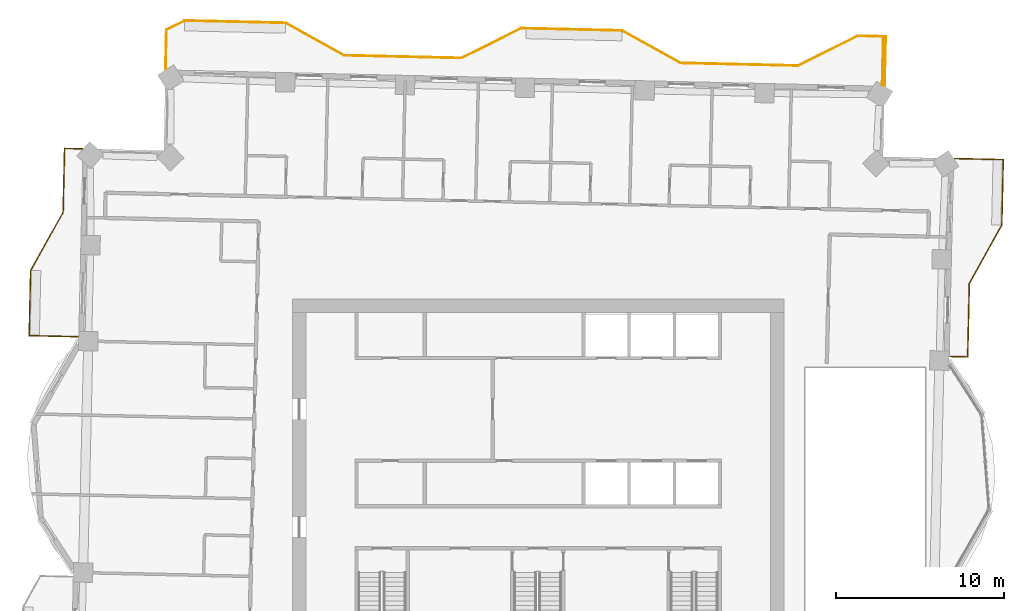
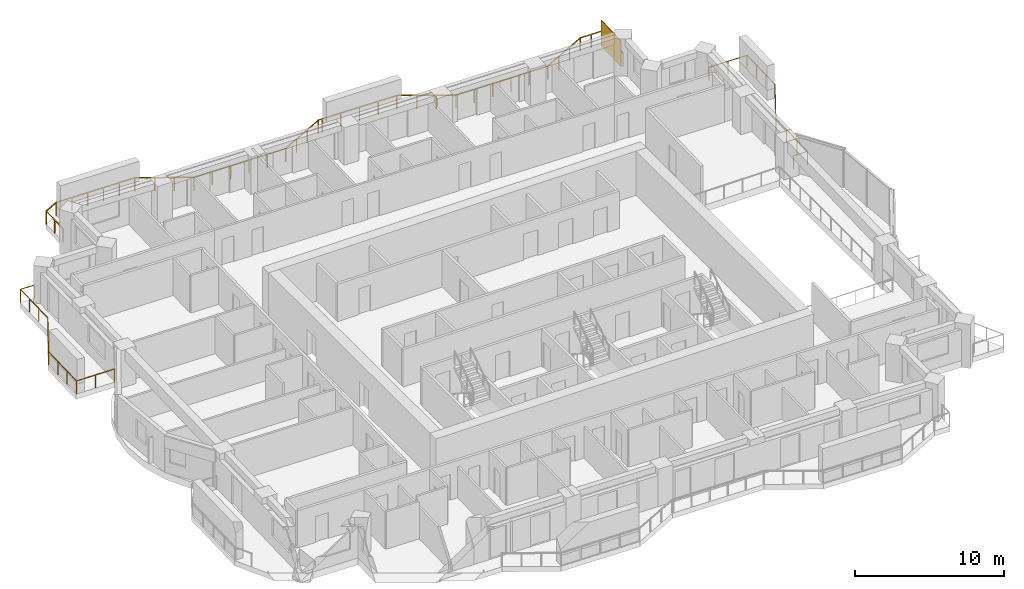
# One storey, part 16 of 16: 3 railings, 1 shading device.
"""IFC4 building model written with IfcOpenShell, lengths in metres."""

from ifc_helpers import new_model, si_unit, direction, frame, origin, origin_2d, place, context, subcontext, project, spatial, rectangle, extrude, material, type_object, element, save


model = new_model("IFC4")

# Units and contexts
model_context = context("Model", 3, precision=1e-05, world=origin(), true_north=direction((0.0, 1.0)))
body_context = subcontext(model_context, "Body", "Model", "MODEL_VIEW")
ifc_project = project(units=[si_unit("LENGTHUNIT", "METRE"), si_unit("AREAUNIT", "SQUARE_METRE"), si_unit("VOLUMEUNIT", "CUBIC_METRE"), si_unit("PLANEANGLEUNIT", "RADIAN"), si_unit("MASSUNIT", "GRAM", prefix="KILO")], contexts=[model_context])

# Site, building, storey
site_placement = place(None, origin())
site = spatial("IfcSite", under=ifc_project, at=site_placement, CompositionType="ELEMENT")
building_placement = place(site_placement, origin())
building = spatial("IfcBuilding", under=site, at=building_placement, Name="Mangrove Gate Tower", CompositionType="ELEMENT")
storey_placement = place(building_placement, frame((0.0, 0.0, 197.89990234375)))
storey = spatial("IfcBuildingStorey", under=building, at=storey_placement, Name="L50", CompositionType="ELEMENT", Elevation=197.89990234375)

# Railings
ifc_material_1 = material(Name="Stainless steel grade 316 with laminated glass infill", Category="steel")
railing_type = type_object("IfcRailingType", Name="Balcony guard 1100", PredefinedType="GUARDRAIL", material=ifc_material_1)
railing_1_placement = place(storey_placement, frame((24.467041015625, 8.18603515625, 0.0)))
element("IfcRailing", 1, at=railing_1_placement, inside=storey, type_object=railing_type, Name="GUARD L50 E2", PredefinedType="GUARDRAIL", context=body_context, shape_type="SweptSolid", body=[
    extrude(rectangle(XDim=0.048095703125, YDim=0.048095703125, at=origin_2d()), frame((0.0, 0.0, 1.076171875), z_axis=(0.999745389313, -0.022564497502, 0.0), x_axis=(0.022564497502, 0.999745389313, 0.0)), (0.0, 0.0, 1.0), 1.060302734375),
    extrude(rectangle(XDim=0.048095703125, YDim=0.048095703125, at=origin_2d()), frame((1.06005859375, -0.02392578125, 1.076171875), z_axis=(0.022606024383, 0.999744451178, 0.0), x_axis=(-0.999744451178, 0.022606024383, 0.0)), (0.0, 0.0, 1.0), 4.3740234375),
    extrude(rectangle(XDim=0.048095703125, YDim=0.048095703125, at=origin_2d()), frame((1.158935546875, 4.348876953125, 1.076171875), z_axis=(0.48726008209, 0.87325689943, 0.0), x_axis=(-0.87325689943, 0.48726008209, 0.0)), (0.0, 0.0, 1.0), 3.958740234375),
    extrude(rectangle(XDim=0.048095703125, YDim=0.048095703125, at=origin_2d()), frame((3.087890625, 7.805908203125, 1.076171875), z_axis=(0.022597696753, 0.999744639446, 0.0), x_axis=(-0.999744639446, 0.022597696753, 0.0)), (0.0, 0.0, 1.0), 3.900146484375),
    extrude(rectangle(XDim=0.048095703125, YDim=0.048095703125, at=origin_2d()), frame((3.176025390625, 11.705078125, 1.076171875), z_axis=(-0.999743392495, 0.022652795902, 0.0), x_axis=(-0.022652795902, -0.999743392495, 0.0)), (0.0, 0.0, 1.0), 2.909912109375),
    extrude(rectangle(XDim=0.0419921875, YDim=0.0419921875, at=origin_2d()), origin(), (0.0, 0.0, 1.0), 1.052001953125),
    extrude(rectangle(XDim=0.0419921875, YDim=0.0419921875, at=origin_2d()), frame((1.06005859375, -0.02392578125, 0.0)), (0.0, 0.0, 1.0), 1.052001953125),
    extrude(rectangle(XDim=0.0419921875, YDim=0.0419921875, at=origin_2d()), frame((1.093017578125, 1.43359375, 0.0)), (0.0, 0.0, 1.0), 1.052001953125),
    extrude(rectangle(XDim=0.0419921875, YDim=0.0419921875, at=origin_2d()), frame((1.1259765625, 2.891357421875, 0.0)), (0.0, 0.0, 1.0), 1.052001953125),
    extrude(rectangle(XDim=0.0419921875, YDim=0.0419921875, at=origin_2d()), frame((1.158935546875, 4.348876953125, 0.0)), (0.0, 0.0, 1.0), 1.052001953125),
    extrude(rectangle(XDim=0.0419921875, YDim=0.0419921875, at=origin_2d()), frame((1.802001953125, 5.501220703125, 0.0)), (0.0, 0.0, 1.0), 1.052001953125),
    extrude(rectangle(XDim=0.0419921875, YDim=0.0419921875, at=origin_2d()), frame((2.44482421875, 6.653564453125, 0.0)), (0.0, 0.0, 1.0), 1.052001953125),
    extrude(rectangle(XDim=0.0419921875, YDim=0.0419921875, at=origin_2d()), frame((3.087890625, 7.805908203125, 0.0)), (0.0, 0.0, 1.0), 1.052001953125),
    extrude(rectangle(XDim=0.0419921875, YDim=0.0419921875, at=origin_2d()), frame((3.1171875, 9.105712890625, 0.0)), (0.0, 0.0, 1.0), 1.052001953125),
    extrude(rectangle(XDim=0.0419921875, YDim=0.0419921875, at=origin_2d()), frame((3.146728515625, 10.4052734375, 0.0)), (0.0, 0.0, 1.0), 1.052001953125),
    extrude(rectangle(XDim=0.0419921875, YDim=0.0419921875, at=origin_2d()), frame((3.176025390625, 11.705078125, 0.0)), (0.0, 0.0, 1.0), 1.052001953125),
    extrude(rectangle(XDim=0.0419921875, YDim=0.0419921875, at=origin_2d()), frame((1.721435546875, 11.738037109375, 0.0)), (0.0, 0.0, 1.0), 1.052001953125),
    extrude(rectangle(XDim=0.0419921875, YDim=0.0419921875, at=origin_2d()), frame((0.266845703125, 11.77099609375, 0.0)), (0.0, 0.0, 1.0), 1.052001953125),
])
railing_2_placement = place(storey_placement, frame((20.591064453125, 24.2919921875, 0.0)))
element("IfcRailing", 2, at=railing_2_placement, inside=storey, type_object=railing_type, Name="GUARD L50 N1", PredefinedType="GUARDRAIL", context=body_context, shape_type="SweptSolid", body=[
    extrude(rectangle(XDim=0.048095703125, YDim=0.048095703125, at=origin_2d()), frame((0.0, 0.0, 1.076171875), z_axis=(0.022647097142, 0.999743521605, 0.0), x_axis=(-0.999743521605, 0.022647097142, 0.0)), (0.0, 0.0, 1.0), 2.91064453125),
    extrude(rectangle(XDim=0.048095703125, YDim=0.048095703125, at=origin_2d()), frame((0.06591796875, 2.909912109375, 1.076171875), z_axis=(-0.999740325078, 0.022787768953, 0.0), x_axis=(-0.022787768953, -0.999740325078, 0.0)), (0.0, 0.0, 1.0), 1.67138671875),
    extrude(rectangle(XDim=0.048095703125, YDim=0.048095703125, at=origin_2d()), frame((-1.60498046875, 2.947998046875, 1.076171875), z_axis=(-0.894377854182, -0.447312255532, 0.0), x_axis=(0.447312255532, -0.894377854182, 0.0)), (0.0, 0.0, 1.0), 3.959228515625),
    extrude(rectangle(XDim=0.048095703125, YDim=0.048095703125, at=origin_2d()), frame((-5.14599609375, 1.177001953125, 1.076171875), z_axis=(-0.999742267452, 0.022702393474, 0.0), x_axis=(-0.022702393474, -0.999742267452, 0.0)), (0.0, 0.0, 1.0), 7.000732421875),
    extrude(rectangle(XDim=0.048095703125, YDim=0.048095703125, at=origin_2d()), frame((-12.14501953125, 1.3359375, 1.076171875), z_axis=(-0.87325689943, 0.48726008209, 0.0), x_axis=(-0.48726008209, -0.87325689943, 0.0)), (0.0, 0.0, 1.0), 3.958740234375),
    extrude(rectangle(XDim=0.048095703125, YDim=0.048095703125, at=origin_2d()), frame((-15.60205078125, 3.264892578125, 1.076171875), z_axis=(-0.999743226877, 0.02266010399, 0.0), x_axis=(-0.02266010399, -0.999743226877, 0.0)), (0.0, 0.0, 1.0), 5.699462890625),
    extrude(rectangle(XDim=0.048095703125, YDim=0.048095703125, at=origin_2d()), frame((-21.300048828125, 3.39404296875, 1.076171875), z_axis=(-0.999721720687, 0.023589853458, 0.0), x_axis=(-0.023589853458, -0.999721720687, 0.0)), (0.0, 0.0, 1.0), 0.300048828125),
    extrude(rectangle(XDim=0.048095703125, YDim=0.048095703125, at=origin_2d()), frame((-21.60009765625, 3.401123046875, 1.076171875), z_axis=(-0.894476522376, -0.447114919141, 0.0), x_axis=(0.447114919141, -0.894476522376, 0.0)), (0.0, 0.0, 1.0), 3.958740234375),
    extrude(rectangle(XDim=0.048095703125, YDim=0.048095703125, at=origin_2d()), frame((-25.14111328125, 1.631103515625, 1.076171875), z_axis=(-0.999742195543, 0.022705559911, 0.0), x_axis=(-0.022705559911, -0.999742195543, 0.0)), (0.0, 0.0, 1.0), 6.999755859375),
    extrude(rectangle(XDim=0.048095703125, YDim=0.048095703125, at=origin_2d()), frame((-32.13916015625, 1.7900390625, 1.076171875), z_axis=(-0.873242256246, 0.487286324359, 0.0), x_axis=(-0.487286324359, -0.873242256246, 0.0)), (0.0, 0.0, 1.0), 3.95849609375),
    extrude(rectangle(XDim=0.048095703125, YDim=0.048095703125, at=origin_2d()), frame((-35.595947265625, 3.718994140625, 1.076171875), z_axis=(-0.999743178102, 0.022662255828, 0.0), x_axis=(-0.022662255828, -0.999743178102, 0.0)), (0.0, 0.0, 1.0), 6.00048828125),
    extrude(rectangle(XDim=0.048095703125, YDim=0.048095703125, at=origin_2d()), frame((-41.594970703125, 3.85498046875, 1.076171875), z_axis=(-0.894628366645, -0.446811017762, 0.0), x_axis=(0.446811017762, -0.894628366645, 0.0)), (0.0, 0.0, 1.0), 1.213134765625),
    extrude(rectangle(XDim=0.048095703125, YDim=0.048095703125, at=origin_2d()), frame((-42.68017578125, 3.31298828125, 1.076171875), z_axis=(-0.022188971368, -0.999753794466, 0.0), x_axis=(0.999753794466, -0.022188971368, 0.0)), (0.0, 0.0, 1.0), 2.343505859375),
    extrude(rectangle(XDim=0.0419921875, YDim=0.0419921875, at=origin_2d()), origin(), (0.0, 0.0, 1.0), 1.052001953125),
    extrude(rectangle(XDim=0.0419921875, YDim=0.0419921875, at=origin_2d()), frame((0.032958984375, 1.455078125, 0.0)), (0.0, 0.0, 1.0), 1.052001953125),
    extrude(rectangle(XDim=0.0419921875, YDim=0.0419921875, at=origin_2d()), frame((0.06591796875, 2.909912109375, 0.0)), (0.0, 0.0, 1.0), 1.052001953125),
    extrude(rectangle(XDim=0.0419921875, YDim=0.0419921875, at=origin_2d()), frame((-0.76953125, 2.928955078125, 0.0)), (0.0, 0.0, 1.0), 1.052001953125),
    extrude(rectangle(XDim=0.0419921875, YDim=0.0419921875, at=origin_2d()), frame((-1.60498046875, 2.947998046875, 0.0)), (0.0, 0.0, 1.0), 1.052001953125),
    extrude(rectangle(XDim=0.0419921875, YDim=0.0419921875, at=origin_2d()), frame((-2.785400390625, 2.357666015625, 0.0)), (0.0, 0.0, 1.0), 1.052001953125),
    extrude(rectangle(XDim=0.0419921875, YDim=0.0419921875, at=origin_2d()), frame((-3.965576171875, 1.767333984375, 0.0)), (0.0, 0.0, 1.0), 1.052001953125),
    extrude(rectangle(XDim=0.0419921875, YDim=0.0419921875, at=origin_2d()), frame((-5.14599609375, 1.177001953125, 0.0)), (0.0, 0.0, 1.0), 1.052001953125),
    extrude(rectangle(XDim=0.0419921875, YDim=0.0419921875, at=origin_2d()), frame((-6.5458984375, 1.208740234375, 0.0)), (0.0, 0.0, 1.0), 1.052001953125),
    extrude(rectangle(XDim=0.0419921875, YDim=0.0419921875, at=origin_2d()), frame((-7.945556640625, 1.240478515625, 0.0)), (0.0, 0.0, 1.0), 1.052001953125),
    extrude(rectangle(XDim=0.0419921875, YDim=0.0419921875, at=origin_2d()), frame((-9.345458984375, 1.2724609375, 0.0)), (0.0, 0.0, 1.0), 1.052001953125),
    extrude(rectangle(XDim=0.0419921875, YDim=0.0419921875, at=origin_2d()), frame((-10.7451171875, 1.30419921875, 0.0)), (0.0, 0.0, 1.0), 1.052001953125),
    extrude(rectangle(XDim=0.0419921875, YDim=0.0419921875, at=origin_2d()), frame((-12.14501953125, 1.3359375, 0.0)), (0.0, 0.0, 1.0), 1.052001953125),
    extrude(rectangle(XDim=0.0419921875, YDim=0.0419921875, at=origin_2d()), frame((-13.29736328125, 1.97900390625, 0.0)), (0.0, 0.0, 1.0), 1.052001953125),
    extrude(rectangle(XDim=0.0419921875, YDim=0.0419921875, at=origin_2d()), frame((-14.44970703125, 2.621826171875, 0.0)), (0.0, 0.0, 1.0), 1.052001953125),
    extrude(rectangle(XDim=0.0419921875, YDim=0.0419921875, at=origin_2d()), frame((-15.60205078125, 3.264892578125, 0.0)), (0.0, 0.0, 1.0), 1.052001953125),
    extrude(rectangle(XDim=0.0419921875, YDim=0.0419921875, at=origin_2d()), frame((-17.026611328125, 3.297119140625, 0.0)), (0.0, 0.0, 1.0), 1.052001953125),
    extrude(rectangle(XDim=0.0419921875, YDim=0.0419921875, at=origin_2d()), frame((-18.451171875, 3.32958984375, 0.0)), (0.0, 0.0, 1.0), 1.052001953125),
    extrude(rectangle(XDim=0.0419921875, YDim=0.0419921875, at=origin_2d()), frame((-19.87548828125, 3.36181640625, 0.0)), (0.0, 0.0, 1.0), 1.052001953125),
    extrude(rectangle(XDim=0.0419921875, YDim=0.0419921875, at=origin_2d()), frame((-21.300048828125, 3.39404296875, 0.0)), (0.0, 0.0, 1.0), 1.052001953125),
    extrude(rectangle(XDim=0.0419921875, YDim=0.0419921875, at=origin_2d()), frame((-21.60009765625, 3.401123046875, 0.0)), (0.0, 0.0, 1.0), 1.052001953125),
    extrude(rectangle(XDim=0.0419921875, YDim=0.0419921875, at=origin_2d()), frame((-22.780517578125, 2.81103515625, 0.0)), (0.0, 0.0, 1.0), 1.052001953125),
    extrude(rectangle(XDim=0.0419921875, YDim=0.0419921875, at=origin_2d()), frame((-23.960693359375, 2.22119140625, 0.0)), (0.0, 0.0, 1.0), 1.052001953125),
    extrude(rectangle(XDim=0.0419921875, YDim=0.0419921875, at=origin_2d()), frame((-25.14111328125, 1.631103515625, 0.0)), (0.0, 0.0, 1.0), 1.052001953125),
    extrude(rectangle(XDim=0.0419921875, YDim=0.0419921875, at=origin_2d()), frame((-26.540771484375, 1.662841796875, 0.0)), (0.0, 0.0, 1.0), 1.052001953125),
    extrude(rectangle(XDim=0.0419921875, YDim=0.0419921875, at=origin_2d()), frame((-27.9404296875, 1.694580078125, 0.0)), (0.0, 0.0, 1.0), 1.052001953125),
    extrude(rectangle(XDim=0.0419921875, YDim=0.0419921875, at=origin_2d()), frame((-29.33984375, 1.7265625, 0.0)), (0.0, 0.0, 1.0), 1.052001953125),
    extrude(rectangle(XDim=0.0419921875, YDim=0.0419921875, at=origin_2d()), frame((-30.739501953125, 1.75830078125, 0.0)), (0.0, 0.0, 1.0), 1.052001953125),
    extrude(rectangle(XDim=0.0419921875, YDim=0.0419921875, at=origin_2d()), frame((-32.13916015625, 1.7900390625, 0.0)), (0.0, 0.0, 1.0), 1.052001953125),
    extrude(rectangle(XDim=0.0419921875, YDim=0.0419921875, at=origin_2d()), frame((-33.29150390625, 2.43310546875, 0.0)), (0.0, 0.0, 1.0), 1.052001953125),
    extrude(rectangle(XDim=0.0419921875, YDim=0.0419921875, at=origin_2d()), frame((-34.443603515625, 3.075927734375, 0.0)), (0.0, 0.0, 1.0), 1.052001953125),
    extrude(rectangle(XDim=0.0419921875, YDim=0.0419921875, at=origin_2d()), frame((-35.595947265625, 3.718994140625, 0.0)), (0.0, 0.0, 1.0), 1.052001953125),
    extrude(rectangle(XDim=0.0419921875, YDim=0.0419921875, at=origin_2d()), frame((-36.795654296875, 3.74609375, 0.0)), (0.0, 0.0, 1.0), 1.052001953125),
    extrude(rectangle(XDim=0.0419921875, YDim=0.0419921875, at=origin_2d()), frame((-37.99560546875, 3.7734375, 0.0)), (0.0, 0.0, 1.0), 1.052001953125),
    extrude(rectangle(XDim=0.0419921875, YDim=0.0419921875, at=origin_2d()), frame((-39.1953125, 3.800537109375, 0.0)), (0.0, 0.0, 1.0), 1.052001953125),
    extrude(rectangle(XDim=0.0419921875, YDim=0.0419921875, at=origin_2d()), frame((-40.395263671875, 3.827880859375, 0.0)), (0.0, 0.0, 1.0), 1.052001953125),
    extrude(rectangle(XDim=0.0419921875, YDim=0.0419921875, at=origin_2d()), frame((-41.594970703125, 3.85498046875, 0.0)), (0.0, 0.0, 1.0), 1.052001953125),
    extrude(rectangle(XDim=0.0419921875, YDim=0.0419921875, at=origin_2d()), frame((-42.68017578125, 3.31298828125, 0.0)), (0.0, 0.0, 1.0), 1.052001953125),
    extrude(rectangle(XDim=0.0419921875, YDim=0.0419921875, at=origin_2d()), frame((-42.7060546875, 2.1416015625, 0.0)), (0.0, 0.0, 1.0), 1.052001953125),
    extrude(rectangle(XDim=0.0419921875, YDim=0.0419921875, at=origin_2d()), frame((-42.732177734375, 0.969970703125, 0.0)), (0.0, 0.0, 1.0), 1.052001953125),
])
railing_3_placement = place(storey_placement, frame((-27.090087890625, 20.532958984375, 0.0)))
element("IfcRailing", 3, at=railing_3_placement, inside=storey, type_object=railing_type, Name="GUARD L50 W1", PredefinedType="GUARDRAIL", context=body_context, shape_type="SweptSolid", body=[
    extrude(rectangle(XDim=0.048095703125, YDim=0.048095703125, at=origin_2d()), frame((0.0, 0.0, 1.076171875), z_axis=(-0.999745272039, 0.02256969285, 0.0), x_axis=(-0.02256969285, -0.999745272039, 0.0)), (0.0, 0.0, 1.0), 1.06005859375),
    extrude(rectangle(XDim=0.048095703125, YDim=0.048095703125, at=origin_2d()), frame((-1.059814453125, 0.02392578125, 1.076171875), z_axis=(-0.022680539557, -0.999742763477, 0.0), x_axis=(0.999742763477, -0.022680539557, 0.0)), (0.0, 0.0, 1.0), 3.7998046875),
    extrude(rectangle(XDim=0.048095703125, YDim=0.048095703125, at=origin_2d()), frame((-1.14599609375, -3.77490234375, 1.076171875), z_axis=(-0.48726008209, -0.87325689943, 0.0), x_axis=(0.87325689943, -0.48726008209, 0.0)), (0.0, 0.0, 1.0), 3.958740234375),
    extrude(rectangle(XDim=0.048095703125, YDim=0.048095703125, at=origin_2d()), frame((-3.074951171875, -7.23193359375, 1.076171875), z_axis=(-0.022681332769, -0.999742745482, 0.0), x_axis=(0.999742745482, -0.022681332769, 0.0)), (0.0, 0.0, 1.0), 3.875),
    extrude(rectangle(XDim=0.048095703125, YDim=0.048095703125, at=origin_2d()), frame((-3.162841796875, -11.10595703125, 1.076171875), z_axis=(0.999743349437, -0.022654696127, 0.0), x_axis=(0.022654696127, 0.999743349437, 0.0)), (0.0, 0.0, 1.0), 2.90966796875),
    extrude(rectangle(XDim=0.0419921875, YDim=0.0419921875, at=origin_2d()), origin(), (0.0, 0.0, 1.0), 1.052001953125),
    extrude(rectangle(XDim=0.0419921875, YDim=0.0419921875, at=origin_2d()), frame((-1.059814453125, 0.02392578125, 0.0)), (0.0, 0.0, 1.0), 1.052001953125),
    extrude(rectangle(XDim=0.0419921875, YDim=0.0419921875, at=origin_2d()), frame((-1.088623046875, -1.242431640625, 0.0)), (0.0, 0.0, 1.0), 1.052001953125),
    extrude(rectangle(XDim=0.0419921875, YDim=0.0419921875, at=origin_2d()), frame((-1.1171875, -2.508544921875, 0.0)), (0.0, 0.0, 1.0), 1.052001953125),
    extrude(rectangle(XDim=0.0419921875, YDim=0.0419921875, at=origin_2d()), frame((-1.14599609375, -3.77490234375, 0.0)), (0.0, 0.0, 1.0), 1.052001953125),
    extrude(rectangle(XDim=0.0419921875, YDim=0.0419921875, at=origin_2d()), frame((-1.7890625, -4.92724609375, 0.0)), (0.0, 0.0, 1.0), 1.052001953125),
    extrude(rectangle(XDim=0.0419921875, YDim=0.0419921875, at=origin_2d()), frame((-2.431884765625, -6.07958984375, 0.0)), (0.0, 0.0, 1.0), 1.052001953125),
    extrude(rectangle(XDim=0.0419921875, YDim=0.0419921875, at=origin_2d()), frame((-3.074951171875, -7.23193359375, 0.0)), (0.0, 0.0, 1.0), 1.052001953125),
    extrude(rectangle(XDim=0.0419921875, YDim=0.0419921875, at=origin_2d()), frame((-3.104248046875, -8.523193359375, 0.0)), (0.0, 0.0, 1.0), 1.052001953125),
    extrude(rectangle(XDim=0.0419921875, YDim=0.0419921875, at=origin_2d()), frame((-3.133544921875, -9.814697265625, 0.0)), (0.0, 0.0, 1.0), 1.052001953125),
    extrude(rectangle(XDim=0.0419921875, YDim=0.0419921875, at=origin_2d()), frame((-3.162841796875, -11.10595703125, 0.0)), (0.0, 0.0, 1.0), 1.052001953125),
    extrude(rectangle(XDim=0.0419921875, YDim=0.0419921875, at=origin_2d()), frame((-1.70849609375, -11.138916015625, 0.0)), (0.0, 0.0, 1.0), 1.052001953125),
    extrude(rectangle(XDim=0.0419921875, YDim=0.0419921875, at=origin_2d()), frame((-0.25390625, -11.171875, 0.0)), (0.0, 0.0, 1.0), 1.052001953125),
])

# Shading device
ifc_material_2 = material(Name="Timber slat screen in teak", Category="wood")
shading_device_type = type_object("IfcShadingDeviceType", Name="Balcony screen 2100", PredefinedType="USERDEFINED", material=ifc_material_2)
shading_device_placement = place(storey_placement, frame((20.48193359375, 25.669921875, 0.0), z_axis=(0.0, 0.0, 1.0), x_axis=(0.022739679942, 0.999741420046, 0.0)))
element("IfcShadingDevice", 4, at=shading_device_placement, inside=storey, type_object=shading_device_type, Name="SCREEN L50 N0", ObjectType="SCREEN", PredefinedType="USERDEFINED", context=body_context, shape_type="SweptSolid", body=[
    extrude(rectangle(XDim=2.791015625, YDim=0.050048828125, at=origin_2d()), origin(), (0.0, 0.0, 1.0), 2.10009765625),
])

save(model, "model.ifc")
